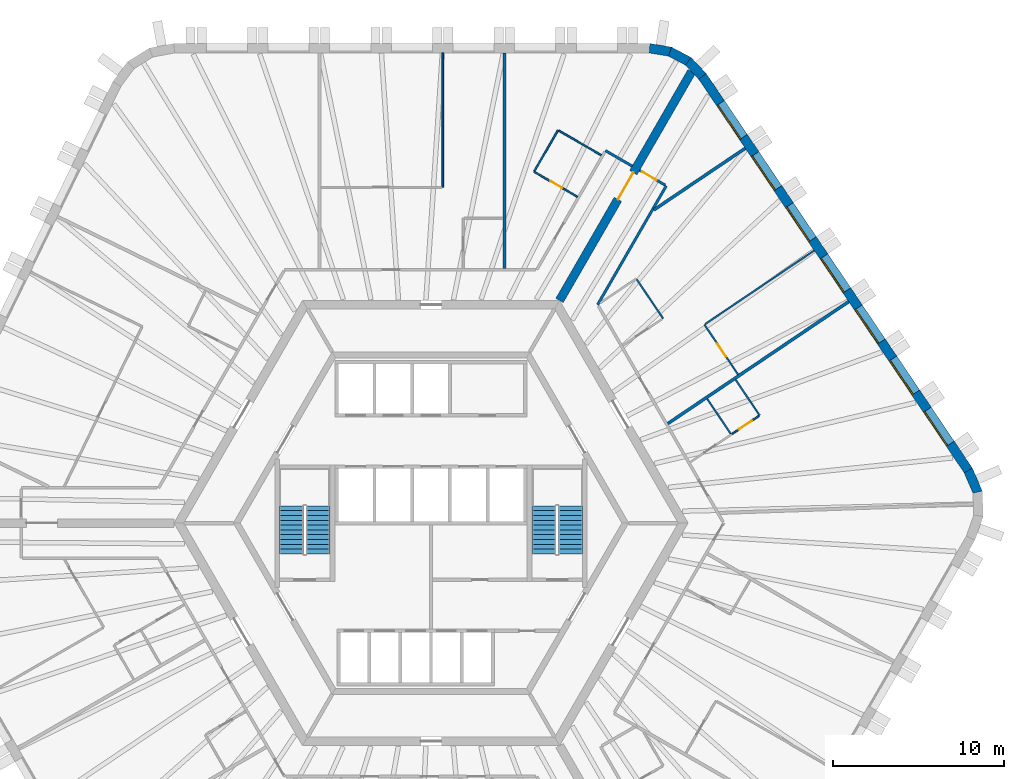
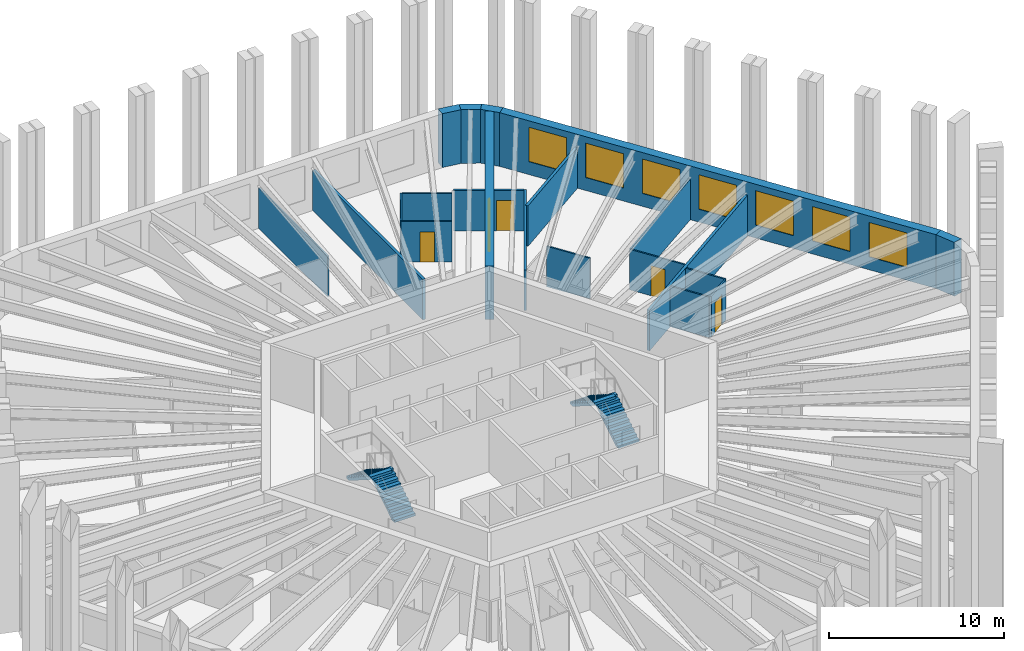
# One storey, part 9 of 10: 22 walls, 7 windows, 5 doors, 4 stair flights, 12 openings, 2 elements without a shape of their own.
"""IFC4 building model written with IfcOpenShell, lengths in metres."""

from ifc_helpers import new_model, si_unit, direction, frame, frame_2d, origin, place, context, subcontext, project, spatial, polyline, rectangle, outline, extrude, material, layer, layer_set, type_object, element, fill, aggregate, save


model = new_model("IFC4")

# Units and contexts
model_context = context("Model", 3, precision=1e-05, world=origin(), true_north=direction((0.0, 1.0)))
body_context = subcontext(model_context, "Body", "Model", "MODEL_VIEW")
ifc_project = project(units=[si_unit("LENGTHUNIT", "METRE"), si_unit("AREAUNIT", "SQUARE_METRE"), si_unit("VOLUMEUNIT", "CUBIC_METRE"), si_unit("PLANEANGLEUNIT", "RADIAN"), si_unit("MASSUNIT", "GRAM", prefix="KILO")], contexts=[model_context])

# Site, building, storey
site_placement = place(None, origin())
site = spatial("IfcSite", under=ifc_project, at=site_placement, CompositionType="ELEMENT")
building_placement = place(site_placement, origin())
building = spatial("IfcBuilding", under=site, at=building_placement, Name="Tarnside Tower", CompositionType="ELEMENT")
storey_placement = place(building_placement, frame((0.0, 0.0, 152.699951171875)))
storey = spatial("IfcBuildingStorey", under=building, at=storey_placement, Name="L35", CompositionType="ELEMENT", Elevation=152.699951171875)

# Wall, opening, door
ifc_material_1 = material(Name="Gypsum board partition on steel studs", Category="steel")
ifc_layer_1 = layer(ifc_material_1, 0.10009765625)
ifc_layer_set_1 = layer_set([ifc_layer_1], Name="Bathroom wall 100")
wall_type_1 = type_object("IfcWallType", Name="Bathroom wall 100", PredefinedType="PARTITIONING", material=ifc_layer_set_1)
wall_1_placement = place(storey_placement, frame((8.546142578125, 19.052490234375, 0.0), z_axis=(0.0, 0.0, 1.0), x_axis=(-0.866046596414, 0.499963291492, 0.0)))
wall_1 = element("IfcWall", 1, at=wall_1_placement, inside=storey, type_object=wall_type_1, Name="Bathroom wall 11048", PredefinedType="PARTITIONING", context=body_context, shape_type="SweptSolid", body=[
    extrude(rectangle(XDim=2.925048828125, YDim=0.10009765625, at=frame_2d((1.46240234375, 0.0))), origin(), (0.0, 0.0, 1.0), 2.823486328125),
])
opening_1_placement = place(wall_1_placement, frame((1.02490234375, 0.0, 0.0)))
opening_1 = element("IfcOpeningElement", 2, at=opening_1_placement, cuts=wall_1, Name="Opening D-B1", PredefinedType="OPENING", context=body_context, shape_type="SweptSolid", body=[
    extrude(rectangle(XDim=0.800048828125, YDim=2.10009765625, at=frame_2d((0.39990234375, 1.050048828125))), frame((0.0, 0.06005859375, 0.0), z_axis=(0.0, -1.0, 0.0), x_axis=(1.0, 0.0, 0.0)), (0.0, 0.0, 1.0), 0.1201171875),
])
ifc_material_2 = material(Name="Timber door leaf", Category="wood")
door_type_1 = type_object("IfcDoorType", Name="Bathroom door 800", OperationType="NOTDEFINED", PredefinedType="DOOR", material=ifc_material_2)
door_1_placement = place(opening_1_placement, origin())
door_1 = element("IfcDoor", 3, at=door_1_placement, inside=storey, type_object=door_type_1, Name="Bathroom door 11002", OperationType="SINGLE_SWING_RIGHT", OverallHeight=2.10009765625, OverallWidth=0.800048828125, PredefinedType="DOOR", context=body_context, shape_type="SweptSolid", body=[
    extrude(rectangle(XDim=0.800048828125, YDim=2.10009765625, at=frame_2d((0.39990234375, 1.050048828125))), frame((0.0, 0.02490234375, 0.0), z_axis=(0.0, -1.0, 0.0), x_axis=(1.0, 0.0, 0.0)), (0.0, 0.0, 1.0), 0.050048828125),
])
fill(opening_1, door_1)

# Walls
wall_2_placement = place(storey_placement, frame((6.0380859375, 20.55810546875, 0.0), z_axis=(0.0, 0.0, 1.0), x_axis=(0.499996545922, 0.866027397988, 0.0)))
element("IfcWall", 4, at=wall_2_placement, inside=storey, type_object=wall_type_1, Name="Bathroom wall 11049", PredefinedType="PARTITIONING", context=body_context, shape_type="SweptSolid", body=[
    extrude(rectangle(XDim=2.75, YDim=0.10009765625, at=frame_2d((1.375, 0.0))), origin(), (0.0, 0.0, 1.0), 2.823486328125),
])
wall_3_placement = place(storey_placement, frame((7.456298828125, 22.914794921875, 0.0), z_axis=(0.0, 0.0, 1.0), x_axis=(0.866018712932, -0.500011588718, 0.0)))
element("IfcWall", 5, at=wall_3_placement, inside=storey, type_object=wall_type_1, Name="Bathroom wall 11050", PredefinedType="PARTITIONING", context=body_context, shape_type="SweptSolid", body=[
    extrude(rectangle(XDim=2.875, YDim=0.10009765625, at=frame_2d((1.4375, 0.0))), origin(), (0.0, 0.0, 1.0), 2.823486328125),
])
wall_4_placement = place(storey_placement, frame((17.50244140625, 5.2099609375, 0.0), z_axis=(0.0, 0.0, 1.0), x_axis=(-0.559203533395, 0.829030402481, 0.0)))
element("IfcWall", 6, at=wall_4_placement, inside=storey, type_object=wall_type_1, Name="Bathroom wall 11111", PredefinedType="PARTITIONING", context=body_context, shape_type="SweptSolid", body=[
    extrude(rectangle(XDim=2.460205078125, YDim=0.10009765625, at=frame_2d((1.22998046875, 0.0))), origin(), (0.0, 0.0, 1.0), 2.823486328125),
])
wall_5_placement = place(storey_placement, frame((12.01025390625, 14.228759765625, 0.0), z_axis=(0.0, 0.0, 1.0), x_axis=(0.559158698756, -0.8290606429, 0.0)))
element("IfcWall", 7, at=wall_5_placement, inside=storey, type_object=wall_type_1, Name="Bathroom wall 11115", PredefinedType="PARTITIONING", context=body_context, shape_type="SweptSolid", body=[
    extrude(rectangle(XDim=2.749755859375, YDim=0.10009765625, at=frame_2d((1.375, 0.0))), origin(), (0.0, 0.0, 1.0), 2.823486328125),
])

# Wall, opening, door
ifc_material_3 = material(Name="Concrete C70/85", Category="concrete")
ifc_layer_2 = layer(ifc_material_3, 0.5)
ifc_layer_set_2 = layer_set([ifc_layer_2], Name="Core wall Z2 500 C70/85")
wall_type_2 = type_object("IfcWallType", Name="Core wall Z2 500 C70/85", PredefinedType="SHEAR", material=ifc_layer_set_2)
wall_6_placement = place(storey_placement, frame((7.505615234375, 13.0, 0.0), z_axis=(0.0, 0.0, 1.0), x_axis=(0.499988271576, 0.866032175087, 0.0)))
wall_6 = element("IfcWall", 8, at=wall_6_placement, inside=storey, type_object=wall_type_2, Name="L35 spine wall 1", PredefinedType="SHEAR", context=body_context, shape_type="SweptSolid", body=[
    extrude(rectangle(XDim=15.423583984375, YDim=0.5, at=frame_2d((7.7119140625, 0.0))), origin(), (0.0, 0.0, 1.0), 3.75),
])
opening_2_placement = place(wall_6_placement, frame((6.811767578125, 0.0, 0.0)))
opening_2 = element("IfcOpeningElement", 9, at=opening_2_placement, cuts=wall_6, Name="Opening CD-SPN", PredefinedType="OPENING", context=body_context, shape_type="SweptSolid", body=[
    extrude(rectangle(XDim=1.800048828125, YDim=2.39990234375, at=frame_2d((0.89990234375, 1.199951171875))), frame((0.0, 0.260009765625, 0.0), z_axis=(0.0, -1.0, 0.0), x_axis=(1.0, 0.0, 0.0)), (0.0, 0.0, 1.0), 0.52001953125),
])
ifc_material_4 = material(Name="Steel fire door", Category="steel")
door_type_2 = type_object("IfcDoorType", Name="Spine passage double door FD60 1800x2400", OperationType="NOTDEFINED", PredefinedType="DOOR", material=ifc_material_4)
door_2_placement = place(opening_2_placement, origin())
door_2 = element("IfcDoor", 10, at=door_2_placement, inside=storey, type_object=door_type_2, Name="L35 spine passage door 1", OperationType="DOUBLE_DOOR_SINGLE_SWING", OverallHeight=2.39990234375, OverallWidth=1.800048828125, PredefinedType="DOOR", context=body_context, shape_type="SweptSolid", body=[
    extrude(rectangle(XDim=1.800048828125, YDim=2.39990234375, at=frame_2d((0.89990234375, 1.199951171875))), frame((0.0, 0.02490234375, 0.0), z_axis=(0.0, -1.0, 0.0), x_axis=(1.0, 0.0, 0.0)), (0.0, 0.0, 1.0), 0.050048828125),
])
fill(opening_2, door_2)

# Walls
ifc_layer_3 = layer(ifc_material_1, 0.14990234375)
ifc_layer_set_3 = layer_set([ifc_layer_3], Name="Corridor wall 150 EI 60")
wall_type_3 = type_object("IfcWallType", Name="Corridor wall 150 EI 60", PredefinedType="PARTITIONING", material=ifc_layer_set_3)
wall_7_placement = place(storey_placement, frame((11.744873046875, 20.8427734375, 0.0), z_axis=(0.0, 0.0, 1.0), x_axis=(-0.865989075817, 0.500062916607, 0.0)))
element("IfcWall", 11, at=wall_7_placement, inside=storey, type_object=wall_type_3, Name="Corridor wall 11003", PredefinedType="PARTITIONING", context=body_context, shape_type="SweptSolid", body=[
    extrude(rectangle(XDim=1.800048828125, YDim=0.14990234375, at=frame_2d((0.89990234375, 0.0))), origin(), (0.0, 0.0, 1.0), 2.823486328125),
])
wall_8_placement = place(storey_placement, frame((9.728271484375, 12.75, 0.0), z_axis=(0.0, 0.0, 1.0), x_axis=(0.500007149838, 0.866021275784, 0.0)))
element("IfcWall", 12, at=wall_8_placement, inside=storey, type_object=wall_type_3, Name="Corridor wall 11043", PredefinedType="PARTITIONING", context=body_context, shape_type="SweptSolid", body=[
    extrude(rectangle(XDim=8.01708984375, YDim=0.14990234375, at=frame_2d((4.008544921875, 0.0))), origin(), (0.0, 0.0, 1.0), 2.823486328125),
])

# Wall, opening, door
wall_9_placement = place(storey_placement, frame((13.671875, 19.73046875, 0.0), z_axis=(0.0, 0.0, 1.0), x_axis=(-0.866074815912, 0.499914405916, 0.0)))
wall_9 = element("IfcWall", 13, at=wall_9_placement, inside=storey, type_object=wall_type_3, Name="Corridor wall 11047", PredefinedType="PARTITIONING", context=body_context, shape_type="SweptSolid", body=[
    extrude(rectangle(XDim=1.724853515625, YDim=0.14990234375, at=frame_2d((0.8623046875, 0.0))), origin(), (0.0, 0.0, 1.0), 2.823486328125),
])
opening_3_placement = place(wall_9_placement, frame((0.574951171875, 0.0, 0.0)))
opening_3 = element("IfcOpeningElement", 14, at=opening_3_placement, cuts=wall_9, Name="Opening D-E1", PredefinedType="OPENING", context=body_context, shape_type="SweptSolid", body=[
    extrude(rectangle(XDim=1.0, YDim=2.10009765625, at=frame_2d((0.5, 1.050048828125))), frame((0.0, 0.0849609375, 0.0), z_axis=(0.0, -1.0, 0.0), x_axis=(1.0, 0.0, 0.0)), (0.0, 0.0, 1.0), 0.169921875),
])
door_type_3 = type_object("IfcDoorType", Name="Unit entrance door 1000 FD30S", OperationType="NOTDEFINED", PredefinedType="DOOR", material=ifc_material_2)
door_3_placement = place(opening_3_placement, origin())
door_3 = element("IfcDoor", 15, at=door_3_placement, inside=storey, type_object=door_type_3, Name="Unit door 11037", OperationType="SINGLE_SWING_LEFT", OverallHeight=2.10009765625, OverallWidth=1.0, PredefinedType="DOOR", context=body_context, shape_type="SweptSolid", body=[
    extrude(rectangle(XDim=1.0, YDim=2.10009765625, at=frame_2d((0.5, 1.050048828125))), frame((0.0, 0.02490234375, 0.0), z_axis=(0.0, -1.0, 0.0), x_axis=(1.0, 0.0, 0.0)), (0.0, 0.0, 1.0), 0.050048828125),
])
fill(opening_3, door_3)

# Walls
ifc_layer_4 = layer(ifc_material_1, 0.179931640625)
ifc_layer_set_4 = layer_set([ifc_layer_4], Name="Demising wall 180 EI 60")
wall_type_4 = type_object("IfcWallType", Name="Demising wall 180 EI 60", PredefinedType="PARTITIONING", material=ifc_layer_set_4)
wall_10_placement = place(storey_placement, frame((4.2822265625, 27.449951171875, 0.0), z_axis=(0.0, 0.0, 1.0), x_axis=(0.0, -1.0, 0.0)))
element("IfcWall", 16, at=wall_10_placement, inside=storey, type_object=wall_type_4, Name="Demising wall 11051", PredefinedType="PARTITIONING", context=body_context, shape_type="SweptSolid", body=[
    extrude(rectangle(XDim=12.574951171875, YDim=0.179931640625, at=frame_2d((6.28759765625, 0.0))), origin(), (0.0, 0.0, 1.0), 2.823486328125),
])
wall_11_placement = place(storey_placement, frame((24.388916015625, 12.9306640625, 0.0), z_axis=(0.0, 0.0, 1.0), x_axis=(-0.829049407957, -0.559175356365, 0.0)))
element("IfcWall", 17, at=wall_11_placement, inside=storey, type_object=wall_type_4, Name="Demising wall 11109", PredefinedType="PARTITIONING", context=body_context, shape_type="SweptSolid", body=[
    extrude(rectangle(XDim=12.742919921875, YDim=0.179931640625, at=frame_2d((6.37158203125, 0.0))), origin(), (0.0, 0.0, 1.0), 2.823486328125),
])
wall_12_placement = place(storey_placement, frame((18.349609375, 21.88427734375, 0.0), z_axis=(0.0, 0.0, 1.0), x_axis=(-0.829047205772, -0.559178621374, 0.0)))
element("IfcWall", 18, at=wall_12_placement, inside=storey, type_object=wall_type_4, Name="Demising wall 11119", PredefinedType="PARTITIONING", context=body_context, shape_type="SweptSolid", body=[
    extrude(rectangle(XDim=6.442138671875, YDim=0.179931640625, at=frame_2d((3.22119140625, 0.0))), origin(), (0.0, 0.0, 1.0), 2.823486328125),
])
ifc_layer_5 = layer(ifc_material_1, 0.10009765625)
ifc_layer_set_5 = layer_set([ifc_layer_5], Name="Partition 100")
wall_type_5 = type_object("IfcWallType", Name="Partition 100", PredefinedType="PARTITIONING", material=ifc_layer_set_5)
wall_13_placement = place(storey_placement, frame((0.68212890625, 27.449951171875, 0.0), z_axis=(0.0, 0.0, 1.0), x_axis=(0.0, -1.0, 0.0)))
element("IfcWall", 19, at=wall_13_placement, inside=storey, type_object=wall_type_5, Name="Partition wall 11055", PredefinedType="PARTITIONING", context=body_context, shape_type="SweptSolid", body=[
    extrude(rectangle(XDim=7.849853515625, YDim=0.10009765625, at=frame_2d((3.9248046875, 0.0))), origin(), (0.0, 0.0, 1.0), 2.823486328125),
])
wall_14_placement = place(storey_placement, frame((17.784912109375, 8.36767578125, 0.0), z_axis=(0.0, 0.0, 1.0), x_axis=(0.559203861497, -0.829030181168, 0.0)))
element("IfcWall", 20, at=wall_14_placement, inside=storey, type_object=wall_type_5, Name="Partition wall 11107", PredefinedType="PARTITIONING", context=body_context, shape_type="SweptSolid", body=[
    extrude(rectangle(XDim=2.510009765625, YDim=0.10009765625, at=frame_2d((1.2548828125, 0.0))), origin(), (0.0, 0.0, 1.0), 2.823486328125),
])

# Wall, opening, door
wall_15_placement = place(storey_placement, frame((19.14697265625, 6.259033203125, 0.0), z_axis=(0.0, 0.0, 1.0), x_axis=(-0.82903334026, -0.559199178055, 0.0)))
wall_15 = element("IfcWall", 21, at=wall_15_placement, inside=storey, type_object=wall_type_5, Name="Partition wall 11108", PredefinedType="PARTITIONING", context=body_context, shape_type="SweptSolid", body=[
    extrude(rectangle(XDim=1.900146484375, YDim=0.10009765625, at=frame_2d((0.9501953125, 0.0))), origin(), (0.0, 0.0, 1.0), 2.823486328125),
])
opening_4_placement = place(wall_15_placement, frame((0.5, 0.0, 0.0)))
opening_4 = element("IfcOpeningElement", 22, at=opening_4_placement, cuts=wall_15, Name="Opening D-I1", PredefinedType="OPENING", context=body_context, shape_type="SweptSolid", body=[
    extrude(rectangle(XDim=0.89990234375, YDim=2.10009765625, at=frame_2d((0.449951171875, 1.050048828125))), frame((0.0, 0.06005859375, 0.0), z_axis=(0.0, -1.0, 0.0), x_axis=(1.0, 0.0, 0.0)), (0.0, 0.0, 1.0), 0.1201171875),
])
door_type_4 = type_object("IfcDoorType", Name="Internal door 900", OperationType="NOTDEFINED", PredefinedType="DOOR", material=ifc_material_2)
door_4_placement = place(opening_4_placement, origin())
door_4 = element("IfcDoor", 23, at=door_4_placement, inside=storey, type_object=door_type_4, Name="Internal door 11033", OperationType="SINGLE_SWING_RIGHT", OverallHeight=2.10009765625, OverallWidth=0.89990234375, PredefinedType="DOOR", context=body_context, shape_type="SweptSolid", body=[
    extrude(rectangle(XDim=0.89990234375, YDim=2.10009765625, at=frame_2d((0.449951171875, 1.050048828125))), frame((0.0, 0.02490234375, 0.0), z_axis=(0.0, -1.0, 0.0), x_axis=(1.0, 0.0, 0.0)), (0.0, 0.0, 1.0), 0.050048828125),
])
fill(opening_4, door_4)

wall_16_placement = place(storey_placement, frame((17.924560546875, 8.67919921875, 0.0), z_axis=(0.0, 0.0, 1.0), x_axis=(-0.559170576854, 0.829052631611, 0.0)))
wall_16 = element("IfcWall", 24, at=wall_16_placement, inside=storey, type_object=wall_type_5, Name="Partition wall 11117", PredefinedType="PARTITIONING", context=body_context, shape_type="SweptSolid", body=[
    extrude(rectangle(XDim=3.510009765625, YDim=0.10009765625, at=frame_2d((1.7548828125, 0.0))), origin(), (0.0, 0.0, 1.0), 2.823486328125),
])
opening_5_placement = place(wall_16_placement, frame((1.260009765625, 0.0, 0.0)))
opening_5 = element("IfcOpeningElement", 25, at=opening_5_placement, cuts=wall_16, Name="Opening D-I1", PredefinedType="OPENING", context=body_context, shape_type="SweptSolid", body=[
    extrude(rectangle(XDim=0.89990234375, YDim=2.10009765625, at=frame_2d((0.449951171875, 1.050048828125))), frame((0.0, 0.06005859375, 0.0), z_axis=(0.0, -1.0, 0.0), x_axis=(1.0, 0.0, 0.0)), (0.0, 0.0, 1.0), 0.1201171875),
])
door_5_placement = place(opening_5_placement, origin())
door_5 = element("IfcDoor", 26, at=door_5_placement, inside=storey, type_object=door_type_4, Name="Internal door 11036", OperationType="SINGLE_SWING_RIGHT", OverallHeight=2.10009765625, OverallWidth=0.89990234375, PredefinedType="DOOR", context=body_context, shape_type="SweptSolid", body=[
    extrude(rectangle(XDim=0.89990234375, YDim=2.10009765625, at=frame_2d((0.449951171875, 1.050048828125))), frame((0.0, 0.02490234375, 0.0), z_axis=(0.0, -1.0, 0.0), x_axis=(1.0, 0.0, 0.0)), (0.0, 0.0, 1.0), 0.050048828125),
])
fill(opening_5, door_5)

# Walls
wall_17_placement = place(storey_placement, frame((16.003173828125, 11.616943359375, 0.0), z_axis=(0.0, 0.0, 1.0), x_axis=(0.829037886281, 0.559192438352, 0.0)))
element("IfcWall", 27, at=wall_17_placement, inside=storey, type_object=wall_type_5, Name="Partition wall 11118", PredefinedType="PARTITIONING", context=body_context, shape_type="SweptSolid", body=[
    extrude(rectangle(XDim=7.686767578125, YDim=0.10009765625, at=frame_2d((3.84326171875, 0.0))), origin(), (0.0, 0.0, 1.0), 2.823486328125),
])
ifc_material_5 = material(Name="Facing brick", Category="masonry")
ifc_layer_6 = layer(ifc_material_5, 0.10205078125)
ifc_material_6 = material(Name="Concrete C60/75 precast", Category="concrete")
ifc_layer_7 = layer(ifc_material_6, 0.347900390625)
ifc_material_7 = material(Name="Mineral wool insulation")
ifc_layer_8 = layer(ifc_material_7, 0.10009765625)
ifc_layer_set_6 = layer_set([ifc_layer_6, ifc_layer_7, ifc_layer_8], Name="Tube wall 550 brick faced")
wall_type_6 = type_object("IfcWallType", Name="Tube wall 550 brick faced", PredefinedType="SOLIDWALL", material=ifc_layer_set_6)
wall_18_placement = place(storey_placement, frame((31.91748046875, 1.804443359375, 0.0), z_axis=(0.0, 0.0, 1.0), x_axis=(-0.396225741392, 0.918153125496, 0.0)))
element("IfcWall", 28, at=wall_18_placement, inside=storey, type_object=wall_type_6, Name="Tube wall L35 F5 chord 19", PredefinedType="SOLIDWALL", context=body_context, shape_type="SweptSolid", body=[
    extrude(outline(polyline([(-0.0517578125, -0.27490234375), (1.404541015625, -0.27490234375), (1.353271484375, 0.27490234375), (0.0517578125, 0.27490234375), (-0.0517578125, -0.27490234375)])), origin(), (0.0, 0.0, 1.0), 3.75),
])

# Wall, openings, windows
wall_19_placement = place(storey_placement, frame((31.37109375, 3.070556640625, 0.0), z_axis=(0.0, 0.0, 1.0), x_axis=(-0.559189891278, 0.829039604297, 0.0)))
wall_19 = element("IfcWall", 29, at=wall_19_placement, inside=storey, type_object=wall_type_6, Name="Tube wall L35 F6 flush 20", PredefinedType="SOLIDWALL", context=body_context, shape_type="SweptSolid", body=[
    extrude(outline(polyline([(-0.025634765625, -0.27490234375), (27.780517578125, -0.27490234375), (27.735595703125, 0.27490234375), (0.025634765625, 0.27490234375), (-0.025634765625, -0.27490234375)])), origin(), (0.0, 0.0, 1.0), 3.75),
])
opening_6_placement = place(wall_19_placement, frame((1.87890625, 0.0, 0.89990234375)))
opening_6 = element("IfcOpeningElement", 30, at=opening_6_placement, cuts=wall_19, Name="Opening WH", PredefinedType="OPENING", context=body_context, shape_type="SweptSolid", body=[
    extrude(rectangle(XDim=2.39990234375, YDim=2.39990234375, at=frame_2d((1.199951171875, 1.199951171875))), frame((0.0, 0.28515625, 0.0), z_axis=(0.0, -1.0, 0.0), x_axis=(1.0, 0.0, 0.0)), (0.0, 0.0, 1.0), 0.570068359375),
])
opening_7_placement = place(wall_19_placement, frame((5.47900390625, 0.0, 0.89990234375)))
opening_7 = element("IfcOpeningElement", 31, at=opening_7_placement, cuts=wall_19, Name="Opening WH", PredefinedType="OPENING", context=body_context, shape_type="SweptSolid", body=[
    extrude(rectangle(XDim=2.39990234375, YDim=2.39990234375, at=frame_2d((1.199951171875, 1.199951171875))), frame((0.0, 0.28515625, 0.0), z_axis=(0.0, -1.0, 0.0), x_axis=(1.0, 0.0, 0.0)), (0.0, 0.0, 1.0), 0.570068359375),
])
opening_8_placement = place(wall_19_placement, frame((9.078857421875, 0.0, 0.89990234375)))
opening_8 = element("IfcOpeningElement", 32, at=opening_8_placement, cuts=wall_19, Name="Opening WH", PredefinedType="OPENING", context=body_context, shape_type="SweptSolid", body=[
    extrude(rectangle(XDim=2.39990234375, YDim=2.39990234375, at=frame_2d((1.199951171875, 1.199951171875))), frame((0.0, 0.28515625, 0.0), z_axis=(0.0, -1.0, 0.0), x_axis=(1.0, 0.0, 0.0)), (0.0, 0.0, 1.0), 0.570068359375),
])
opening_9_placement = place(wall_19_placement, frame((12.678955078125, 0.0, 0.89990234375)))
opening_9 = element("IfcOpeningElement", 33, at=opening_9_placement, cuts=wall_19, Name="Opening WH", PredefinedType="OPENING", context=body_context, shape_type="SweptSolid", body=[
    extrude(rectangle(XDim=2.39990234375, YDim=2.39990234375, at=frame_2d((1.199951171875, 1.199951171875))), frame((0.0, 0.28515625, 0.0), z_axis=(0.0, -1.0, 0.0), x_axis=(1.0, 0.0, 0.0)), (0.0, 0.0, 1.0), 0.570068359375),
])
opening_10_placement = place(wall_19_placement, frame((16.27880859375, 0.0, 0.89990234375)))
opening_10 = element("IfcOpeningElement", 34, at=opening_10_placement, cuts=wall_19, Name="Opening WH", PredefinedType="OPENING", context=body_context, shape_type="SweptSolid", body=[
    extrude(rectangle(XDim=2.39990234375, YDim=2.39990234375, at=frame_2d((1.199951171875, 1.199951171875))), frame((0.0, 0.28515625, 0.0), z_axis=(0.0, -1.0, 0.0), x_axis=(1.0, 0.0, 0.0)), (0.0, 0.0, 1.0), 0.570068359375),
])
opening_11_placement = place(wall_19_placement, frame((19.87890625, 0.0, 0.89990234375)))
opening_11 = element("IfcOpeningElement", 35, at=opening_11_placement, cuts=wall_19, Name="Opening WH", PredefinedType="OPENING", context=body_context, shape_type="SweptSolid", body=[
    extrude(rectangle(XDim=2.39990234375, YDim=2.39990234375, at=frame_2d((1.199951171875, 1.199951171875))), frame((0.0, 0.28515625, 0.0), z_axis=(0.0, -1.0, 0.0), x_axis=(1.0, 0.0, 0.0)), (0.0, 0.0, 1.0), 0.570068359375),
])
opening_12_placement = place(wall_19_placement, frame((23.47900390625, 0.0, 0.89990234375)))
opening_12 = element("IfcOpeningElement", 36, at=opening_12_placement, cuts=wall_19, Name="Opening WH", PredefinedType="OPENING", context=body_context, shape_type="SweptSolid", body=[
    extrude(rectangle(XDim=2.39990234375, YDim=2.39990234375, at=frame_2d((1.199951171875, 1.199951171875))), frame((0.0, 0.28515625, 0.0), z_axis=(0.0, -1.0, 0.0), x_axis=(1.0, 0.0, 0.0)), (0.0, 0.0, 1.0), 0.570068359375),
])
ifc_material_8 = material(Name="Aluminium-framed double glazing", Category="aluminium")
window_type = type_object("IfcWindowType", Name="Hotel window 2400 x 2400", PartitioningType="DOUBLE_PANEL_VERTICAL", PredefinedType="WINDOW", material=ifc_material_8)
window_1_placement = place(opening_6_placement, frame((0.0, 0.205078125, 0.0)))
window_1 = element("IfcWindow", 37, at=window_1_placement, inside=storey, type_object=window_type, Name="E.WN.L35.F6.00", OverallHeight=2.39990234375, OverallWidth=2.39990234375, PartitioningType="DOUBLE_PANEL_VERTICAL", PredefinedType="WINDOW", context=body_context, shape_type="SweptSolid", body=[
    extrude(rectangle(XDim=2.39990234375, YDim=2.39990234375, at=frame_2d((1.199951171875, 1.199951171875))), frame((0.0, 0.030029296875, 0.0), z_axis=(0.0, -1.0, 0.0), x_axis=(1.0, 0.0, 0.0)), (0.0, 0.0, 1.0), 0.06005859375),
])
fill(opening_6, window_1)
window_2_placement = place(opening_7_placement, frame((0.0, 0.205078125, 0.0)))
window_2 = element("IfcWindow", 38, at=window_2_placement, inside=storey, type_object=window_type, Name="E.WN.L35.F6.01", OverallHeight=2.39990234375, OverallWidth=2.39990234375, PartitioningType="DOUBLE_PANEL_VERTICAL", PredefinedType="WINDOW", context=body_context, shape_type="SweptSolid", body=[
    extrude(rectangle(XDim=2.39990234375, YDim=2.39990234375, at=frame_2d((1.199951171875, 1.199951171875))), frame((0.0, 0.030029296875, 0.0), z_axis=(0.0, -1.0, 0.0), x_axis=(1.0, 0.0, 0.0)), (0.0, 0.0, 1.0), 0.06005859375),
])
fill(opening_7, window_2)
window_3_placement = place(opening_8_placement, frame((0.0, 0.205078125, 0.0)))
window_3 = element("IfcWindow", 39, at=window_3_placement, inside=storey, type_object=window_type, Name="E.WN.L35.F6.02", OverallHeight=2.39990234375, OverallWidth=2.39990234375, PartitioningType="DOUBLE_PANEL_VERTICAL", PredefinedType="WINDOW", context=body_context, shape_type="SweptSolid", body=[
    extrude(rectangle(XDim=2.39990234375, YDim=2.39990234375, at=frame_2d((1.199951171875, 1.199951171875))), frame((0.0, 0.030029296875, 0.0), z_axis=(0.0, -1.0, 0.0), x_axis=(1.0, 0.0, 0.0)), (0.0, 0.0, 1.0), 0.06005859375),
])
fill(opening_8, window_3)
window_4_placement = place(opening_9_placement, frame((0.0, 0.205078125, 0.0)))
window_4 = element("IfcWindow", 40, at=window_4_placement, inside=storey, type_object=window_type, Name="E.WN.L35.F6.03", OverallHeight=2.39990234375, OverallWidth=2.39990234375, PartitioningType="DOUBLE_PANEL_VERTICAL", PredefinedType="WINDOW", context=body_context, shape_type="SweptSolid", body=[
    extrude(rectangle(XDim=2.39990234375, YDim=2.39990234375, at=frame_2d((1.199951171875, 1.199951171875))), frame((0.0, 0.030029296875, 0.0), z_axis=(0.0, -1.0, 0.0), x_axis=(1.0, 0.0, 0.0)), (0.0, 0.0, 1.0), 0.06005859375),
])
fill(opening_9, window_4)
window_5_placement = place(opening_10_placement, frame((0.0, 0.205078125, 0.0)))
window_5 = element("IfcWindow", 41, at=window_5_placement, inside=storey, type_object=window_type, Name="E.WN.L35.F6.04", OverallHeight=2.39990234375, OverallWidth=2.39990234375, PartitioningType="DOUBLE_PANEL_VERTICAL", PredefinedType="WINDOW", context=body_context, shape_type="SweptSolid", body=[
    extrude(rectangle(XDim=2.39990234375, YDim=2.39990234375, at=frame_2d((1.199951171875, 1.199951171875))), frame((0.0, 0.030029296875, 0.0), z_axis=(0.0, -1.0, 0.0), x_axis=(1.0, 0.0, 0.0)), (0.0, 0.0, 1.0), 0.06005859375),
])
fill(opening_10, window_5)
window_6_placement = place(opening_11_placement, frame((0.0, 0.205078125, 0.0)))
window_6 = element("IfcWindow", 42, at=window_6_placement, inside=storey, type_object=window_type, Name="E.WN.L35.F6.05", OverallHeight=2.39990234375, OverallWidth=2.39990234375, PartitioningType="DOUBLE_PANEL_VERTICAL", PredefinedType="WINDOW", context=body_context, shape_type="SweptSolid", body=[
    extrude(rectangle(XDim=2.39990234375, YDim=2.39990234375, at=frame_2d((1.199951171875, 1.199951171875))), frame((0.0, 0.030029296875, 0.0), z_axis=(0.0, -1.0, 0.0), x_axis=(1.0, 0.0, 0.0)), (0.0, 0.0, 1.0), 0.06005859375),
])
fill(opening_11, window_6)
window_7_placement = place(opening_12_placement, frame((0.0, 0.205078125, 0.0)))
window_7 = element("IfcWindow", 43, at=window_7_placement, inside=storey, type_object=window_type, Name="E.WN.L35.F6.06", OverallHeight=2.39990234375, OverallWidth=2.39990234375, PartitioningType="DOUBLE_PANEL_VERTICAL", PredefinedType="WINDOW", context=body_context, shape_type="SweptSolid", body=[
    extrude(rectangle(XDim=2.39990234375, YDim=2.39990234375, at=frame_2d((1.199951171875, 1.199951171875))), frame((0.0, 0.030029296875, 0.0), z_axis=(0.0, -1.0, 0.0), x_axis=(1.0, 0.0, 0.0)), (0.0, 0.0, 1.0), 0.06005859375),
])
fill(opening_12, window_7)

# Walls
wall_20_placement = place(storey_placement, frame((15.84912109375, 26.0830078125, 0.0), z_axis=(0.0, 0.0, 1.0), x_axis=(-0.686196220404, 0.727416488061, 0.0)))
element("IfcWall", 44, at=wall_20_placement, inside=storey, type_object=wall_type_6, Name="Tube wall L35 F6 chord 21", PredefinedType="SOLIDWALL", context=body_context, shape_type="SweptSolid", body=[
    extrude(outline(polyline([(-0.0224609375, -0.27490234375), (1.25341796875, -0.27490234375), (1.1630859375, 0.27490234375), (0.0224609375, 0.27490234375), (-0.0224609375, -0.27490234375)])), origin(), (0.0, 0.0, 1.0), 3.75),
])
wall_21_placement = place(storey_placement, frame((15.02001953125, 26.9619140625, 0.0), z_axis=(0.0, 0.0, 1.0), x_axis=(-0.882950818639, 0.469465495926, 0.0)))
element("IfcWall", 45, at=wall_21_placement, inside=storey, type_object=wall_type_6, Name="Tube wall L35 F6 chord 22", PredefinedType="SOLIDWALL", context=body_context, shape_type="SweptSolid", body=[
    extrude(outline(polyline([(-0.045166015625, -0.27490234375), (1.253173828125, -0.27490234375), (1.162841796875, 0.27490234375), (0.045166015625, 0.27490234375), (-0.045166015625, -0.27490234375)])), origin(), (0.0, 0.0, 1.0), 3.75),
])
wall_22_placement = place(storey_placement, frame((13.953369140625, 27.529052734375, 0.0), z_axis=(0.0, 0.0, 1.0), x_axis=(-0.986751945211, 0.162236243244, 0.0)))
element("IfcWall", 46, at=wall_22_placement, inside=storey, type_object=wall_type_6, Name="Tube wall L35 F6 chord 23", PredefinedType="SOLIDWALL", context=body_context, shape_type="SweptSolid", body=[
    extrude(outline(polyline([(-0.045166015625, -0.27490234375), (1.23095703125, -0.27490234375), (1.18603515625, 0.27490234375), (0.045166015625, 0.27490234375), (-0.045166015625, -0.27490234375)])), origin(), (0.0, 0.0, 1.0), 3.75),
])

# Stair, stair flights
ifc_material_9 = material(Name="Concrete C40/50", Category="concrete")
stair_type = type_object("IfcStairType", Name="Exit stair 1400 clear", PredefinedType="HALF_TURN_STAIR", material=ifc_material_9)
stair_1_placement = place(storey_placement, origin())
stair_1 = element("IfcStair", 47, at=stair_1_placement, inside=storey, type_object=stair_type, Name="L35 Exit stair 1", PredefinedType="HALF_TURN_STAIR")
stair_flight_type = type_object("IfcStairFlightType", Name="Exit stair flight 1400", PredefinedType="STRAIGHT", material=ifc_material_9)
stair_flight_1_placement = place(storey_placement, frame((8.14990234375, -1.800048828125, 0.0), z_axis=(0.0, 0.0, 1.0), x_axis=(0.0, 1.0, 0.0)))
stair_flight_1 = element("IfcStairFlight", 48, at=stair_flight_1_placement, type_object=stair_flight_type, Name="ST1 flight 1", NumberOfRisers=11, NumberOfTreads=10, PredefinedType="STRAIGHT", RiserHeight=0.177272727, TreadLength=0.28, context=body_context, shape_type="SweptSolid", body=[
    extrude(outline(polyline([(0.0, 0.0), (0.0, 0.17724609375), (0.280029296875, 0.17724609375), (0.280029296875, 0.3544921875), (0.56005859375, 0.3544921875), (0.56005859375, 0.53173828125), (0.840087890625, 0.53173828125), (0.840087890625, 0.708984375), (1.1201171875, 0.708984375), (1.1201171875, 0.886474609375), (1.39990234375, 0.886474609375), (1.39990234375, 1.063720703125), (1.679931640625, 1.063720703125), (1.679931640625, 1.240966796875), (1.9599609375, 1.240966796875), (1.9599609375, 1.418212890625), (2.239990234375, 1.418212890625), (2.239990234375, 1.595458984375), (2.52001953125, 1.595458984375), (2.52001953125, 1.772705078125), (2.800048828125, 1.772705078125), (2.800048828125, 1.949951171875), (2.800048828125, 1.59521484375), (0.2802734375, 0.0), (0.0, 0.0)])), frame((0.0, 0.699951171875, 0.0), z_axis=(0.0, -1.0, 0.0), x_axis=(1.0, 0.0, 0.0)), (0.0, 0.0, 1.0), 1.39990234375),
])
stair_flight_2_placement = place(storey_placement, frame((6.60009765625, 1.0, 1.949951171875), z_axis=(0.0, 0.0, 1.0), x_axis=(0.0, -1.0, 0.0)))
stair_flight_2 = element("IfcStairFlight", 49, at=stair_flight_2_placement, type_object=stair_flight_type, Name="ST1 flight 2", NumberOfRisers=11, NumberOfTreads=10, PredefinedType="STRAIGHT", RiserHeight=0.177272727, TreadLength=0.28, context=body_context, shape_type="SweptSolid", body=[
    extrude(outline(polyline([(0.0, 0.0), (0.0, 0.17724609375), (0.280029296875, 0.17724609375), (0.280029296875, 0.3544921875), (0.56005859375, 0.3544921875), (0.56005859375, 0.53173828125), (0.840087890625, 0.53173828125), (0.840087890625, 0.708984375), (1.1201171875, 0.708984375), (1.1201171875, 0.886474609375), (1.39990234375, 0.886474609375), (1.39990234375, 1.063720703125), (1.679931640625, 1.063720703125), (1.679931640625, 1.240966796875), (1.9599609375, 1.240966796875), (1.9599609375, 1.418212890625), (2.239990234375, 1.418212890625), (2.239990234375, 1.595458984375), (2.52001953125, 1.595458984375), (2.52001953125, 1.772705078125), (2.800048828125, 1.772705078125), (2.800048828125, 1.949951171875), (2.800048828125, 1.59521484375), (0.2802734375, 0.0), (0.0, 0.0)])), frame((0.0, 0.699951171875, 0.0), z_axis=(0.0, -1.0, 0.0), x_axis=(1.0, 0.0, 0.0)), (0.0, 0.0, 1.0), 1.39990234375),
])
aggregate(stair_1, [stair_flight_1, stair_flight_2])

stair_2_placement = place(storey_placement, origin())
stair_2 = element("IfcStair", 50, at=stair_2_placement, inside=storey, type_object=stair_type, Name="L35 Exit stair 2", PredefinedType="HALF_TURN_STAIR")
stair_flight_3_placement = place(storey_placement, frame((-6.60009765625, -1.800048828125, 0.0), z_axis=(0.0, 0.0, 1.0), x_axis=(0.0, 1.0, 0.0)))
stair_flight_3 = element("IfcStairFlight", 51, at=stair_flight_3_placement, type_object=stair_flight_type, Name="ST2 flight 1", NumberOfRisers=11, NumberOfTreads=10, PredefinedType="STRAIGHT", RiserHeight=0.177272727, TreadLength=0.28, context=body_context, shape_type="SweptSolid", body=[
    extrude(outline(polyline([(0.0, 0.0), (0.0, 0.17724609375), (0.280029296875, 0.17724609375), (0.280029296875, 0.3544921875), (0.56005859375, 0.3544921875), (0.56005859375, 0.53173828125), (0.840087890625, 0.53173828125), (0.840087890625, 0.708984375), (1.1201171875, 0.708984375), (1.1201171875, 0.886474609375), (1.39990234375, 0.886474609375), (1.39990234375, 1.063720703125), (1.679931640625, 1.063720703125), (1.679931640625, 1.240966796875), (1.9599609375, 1.240966796875), (1.9599609375, 1.418212890625), (2.239990234375, 1.418212890625), (2.239990234375, 1.595458984375), (2.52001953125, 1.595458984375), (2.52001953125, 1.772705078125), (2.800048828125, 1.772705078125), (2.800048828125, 1.949951171875), (2.800048828125, 1.59521484375), (0.2802734375, 0.0), (0.0, 0.0)])), frame((0.0, 0.699951171875, 0.0), z_axis=(0.0, -1.0, 0.0), x_axis=(1.0, 0.0, 0.0)), (0.0, 0.0, 1.0), 1.39990234375),
])
stair_flight_4_placement = place(storey_placement, frame((-8.14990234375, 1.0, 1.949951171875), z_axis=(0.0, 0.0, 1.0), x_axis=(0.0, -1.0, 0.0)))
stair_flight_4 = element("IfcStairFlight", 52, at=stair_flight_4_placement, type_object=stair_flight_type, Name="ST2 flight 2", NumberOfRisers=11, NumberOfTreads=10, PredefinedType="STRAIGHT", RiserHeight=0.177272727, TreadLength=0.28, context=body_context, shape_type="SweptSolid", body=[
    extrude(outline(polyline([(0.0, 0.0), (0.0, 0.17724609375), (0.280029296875, 0.17724609375), (0.280029296875, 0.3544921875), (0.56005859375, 0.3544921875), (0.56005859375, 0.53173828125), (0.840087890625, 0.53173828125), (0.840087890625, 0.708984375), (1.1201171875, 0.708984375), (1.1201171875, 0.886474609375), (1.39990234375, 0.886474609375), (1.39990234375, 1.063720703125), (1.679931640625, 1.063720703125), (1.679931640625, 1.240966796875), (1.9599609375, 1.240966796875), (1.9599609375, 1.418212890625), (2.239990234375, 1.418212890625), (2.239990234375, 1.595458984375), (2.52001953125, 1.595458984375), (2.52001953125, 1.772705078125), (2.800048828125, 1.772705078125), (2.800048828125, 1.949951171875), (2.800048828125, 1.59521484375), (0.2802734375, 0.0), (0.0, 0.0)])), frame((0.0, 0.699951171875, 0.0), z_axis=(0.0, -1.0, 0.0), x_axis=(1.0, 0.0, 0.0)), (0.0, 0.0, 1.0), 1.39990234375),
])
aggregate(stair_2, [stair_flight_3, stair_flight_4])

save(model, "model.ifc")
